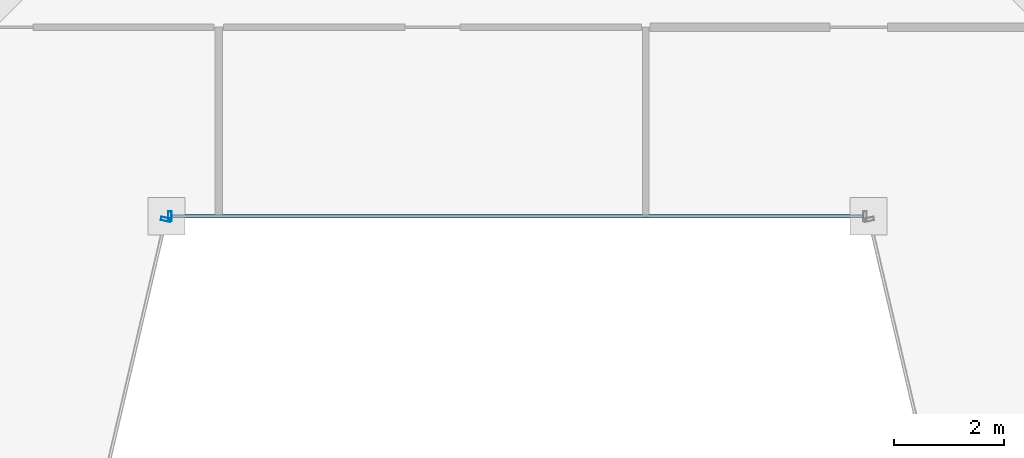
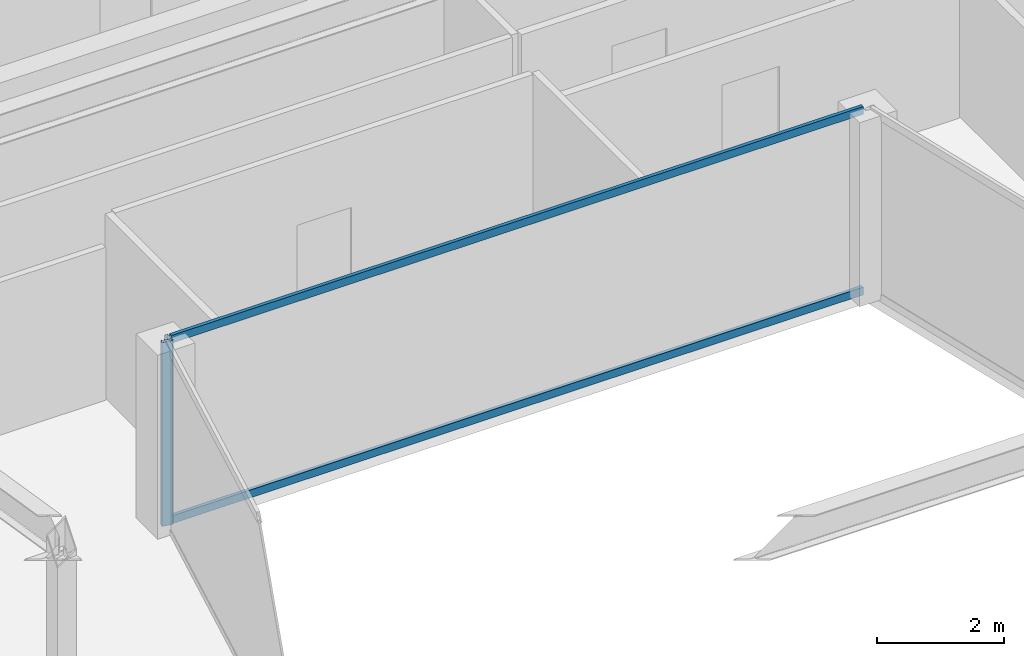
# One storey, part 8 of 32: 4 members, 2 elements without a shape of their own.
"""IFC4 building model written with IfcOpenShell, lengths in metres."""

from ifc_helpers import new_model, si_unit, direction, frame, origin, origin_2d, place, context, subcontext, project, spatial, hollow_rectangle, extrude, material, material_profile, profile_set, type_object, element, aggregate, save


model = new_model("IFC4")

# Units and contexts
model_context = context("Model", 3, precision=1e-05, world=origin(), true_north=direction((0.0, 1.0)))
body_context = subcontext(model_context, "Body", "Model", "MODEL_VIEW")
ifc_project = project(units=[si_unit("LENGTHUNIT", "METRE"), si_unit("AREAUNIT", "SQUARE_METRE"), si_unit("VOLUMEUNIT", "CUBIC_METRE"), si_unit("PLANEANGLEUNIT", "RADIAN"), si_unit("MASSUNIT", "GRAM", prefix="KILO")], contexts=[model_context])

# Site, building, storey
site_placement = place(None, origin())
site = spatial("IfcSite", under=ifc_project, at=site_placement, CompositionType="ELEMENT")
building_placement = place(site_placement, origin())
building = spatial("IfcBuilding", under=site, at=building_placement, Name="Saevonmaru Cultural Tower", CompositionType="ELEMENT")
storey_placement = place(building_placement, frame((0.0, 0.0, 257.199951171875)))
storey = spatial("IfcBuildingStorey", under=building, at=storey_placement, Name="L60", CompositionType="ELEMENT", Elevation=257.199951171875)

# Curtain wall, member
ifc_material = material(Name="Satin Bronze Anodised Aluminium", Category="aluminium")
curtain_wall_type = type_object("IfcCurtainWallType", Name="CW-TYP-B", PredefinedType="NOTDEFINED", material=ifc_material)
curtain_wall_1_placement = place(storey_placement, origin())
curtain_wall_1 = element("IfcCurtainWall", 1, at=curtain_wall_1_placement, inside=storey, type_object=curtain_wall_type, Name="L60 Unitised Curtain Wall E3", PredefinedType="NOTDEFINED")
ifc_material_profile_1 = material_profile(ifc_material, hollow_rectangle(XDim=0.06494140625, YDim=0.179931640625, WallThickness=0.00390625, at=origin_2d()), Name="ALU-MULL-180x65x4")
ifc_profile_set_1 = profile_set([ifc_material_profile_1], Name="Satin Bronze Anodised Aluminium")
member_type_1 = type_object("IfcMemberType", Name="ML-CW-180x65", PredefinedType="MULLION", material=ifc_profile_set_1)
member_1_placement = place(storey_placement, frame((23.581787109375, 35.54150390625, 0.0), z_axis=(0.0, 0.0, 1.0), x_axis=(0.228189509449, 0.973616735568, 0.0)))
member_1 = element("IfcMember", 2, at=member_1_placement, type_object=member_type_1, Name="CW-TW-L60-E3 mullion 2", PredefinedType="MULLION", context=body_context, shape_type="SweptSolid", body=[
    extrude(hollow_rectangle(XDim=0.06494140625, YDim=0.179931640625, WallThickness=0.00390625, at=origin_2d()), origin(), (0.0, 0.0, 1.0), 3.550048828125),
])
aggregate(curtain_wall_1, [member_1])

# Curtain wall, members
curtain_wall_2_placement = place(storey_placement, origin())
curtain_wall_2 = element("IfcCurtainWall", 3, at=curtain_wall_2_placement, inside=storey, type_object=curtain_wall_type, Name="L60 Unitised Curtain Wall E4", PredefinedType="NOTDEFINED")
member_2_placement = place(storey_placement, frame((23.655517578125, 35.60009765625, 0.0), z_axis=(0.0, 0.0, 1.0), x_axis=(1.0, 0.0, 0.0)))
member_2 = element("IfcMember", 4, at=member_2_placement, type_object=member_type_1, Name="CW-TW-L60-E4 mullion 1", PredefinedType="MULLION", context=body_context, shape_type="SweptSolid", body=[
    extrude(hollow_rectangle(XDim=0.06494140625, YDim=0.179931640625, WallThickness=0.00390625, at=origin_2d()), origin(), (0.0, 0.0, 1.0), 3.550048828125),
])
ifc_material_profile_2 = material_profile(ifc_material, hollow_rectangle(XDim=0.06494140625, YDim=0.14990234375, WallThickness=0.00390625, at=origin_2d()), Name="ALU-TRAN-150x65x4")
ifc_profile_set_2 = profile_set([ifc_material_profile_2], Name="Satin Bronze Anodised Aluminium")
member_type_2 = type_object("IfcMemberType", Name="TR-CW-150x65", PredefinedType="USERDEFINED", material=ifc_profile_set_2)
member_3_placement = place(storey_placement, frame((23.68798828125, 35.60009765625, 0.032470703125), z_axis=(1.0, 0.0, 0.0), x_axis=(0.0, 1.0, 0.0)))
member_3 = element("IfcMember", 5, at=member_3_placement, type_object=member_type_2, Name="CW-TW-L60-E4 transom 1.1", ObjectType="TRANSOM", PredefinedType="USERDEFINED", context=body_context, shape_type="SweptSolid", body=[
    extrude(hollow_rectangle(XDim=0.06494140625, YDim=0.14990234375, WallThickness=0.00390625, at=origin_2d()), origin(), (0.0, 0.0, 1.0), 12.6240234375),
])
member_4_placement = place(storey_placement, frame((23.68798828125, 35.60009765625, 3.517578125), z_axis=(1.0, 0.0, 0.0), x_axis=(0.0, 1.0, 0.0)))
member_4 = element("IfcMember", 6, at=member_4_placement, type_object=member_type_2, Name="CW-TW-L60-E4 transom 1.2", ObjectType="TRANSOM", PredefinedType="USERDEFINED", context=body_context, shape_type="SweptSolid", body=[
    extrude(hollow_rectangle(XDim=0.06494140625, YDim=0.14990234375, WallThickness=0.00390625, at=origin_2d()), origin(), (0.0, 0.0, 1.0), 12.6240234375),
])
aggregate(curtain_wall_2, [member_2, member_3, member_4])

save(model, "model.ifc")
